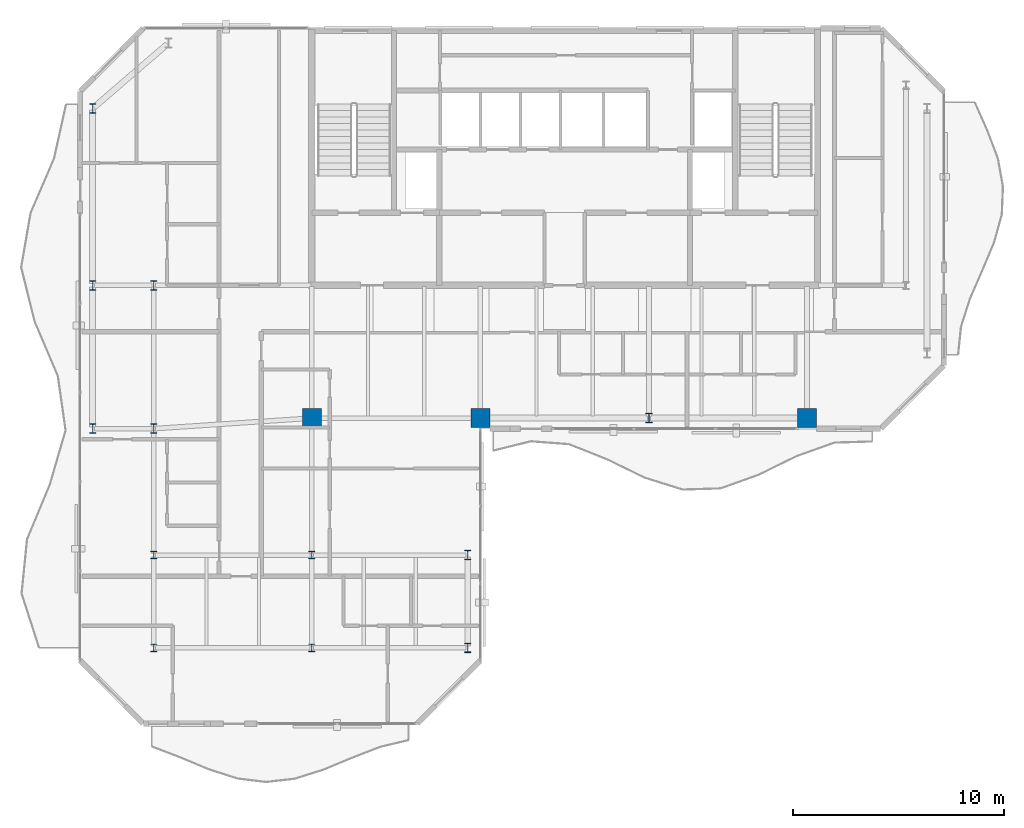
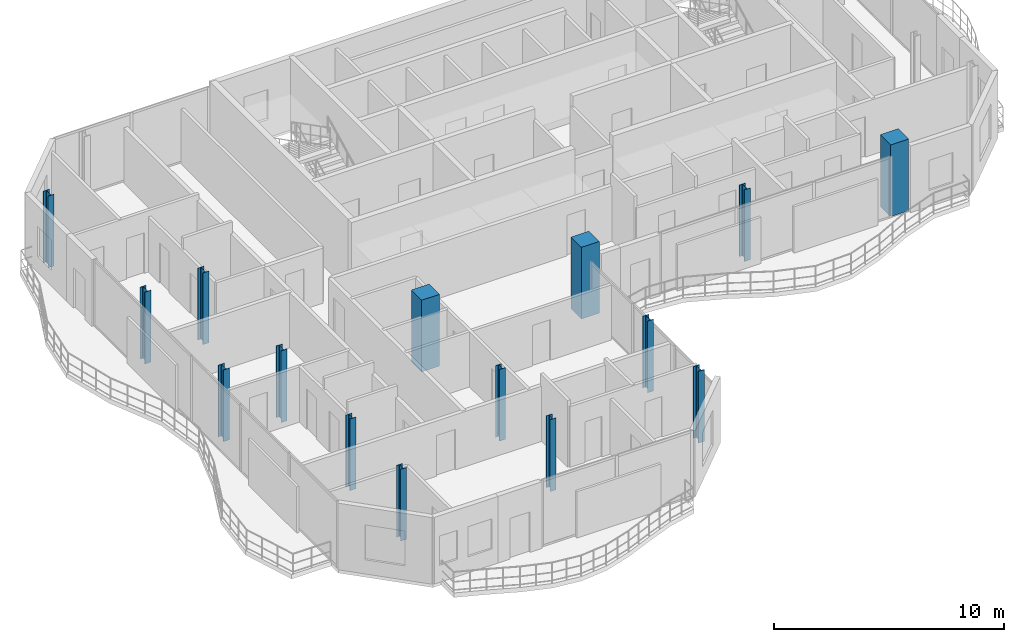
# One storey, part 1 of 22: 15 columns.
"""IFC4 building model written with IfcOpenShell, lengths in metres."""

from ifc_helpers import new_model, si_unit, direction, frame, origin, origin_2d, place, context, subcontext, project, spatial, rectangle, i_section, extrude, material, material_profile, profile_set, type_object, element, save


model = new_model("IFC4")

# Units and contexts
model_context = context("Model", 3, precision=1e-05, world=origin(), true_north=direction((0.0, 1.0)))
body_context = subcontext(model_context, "Body", "Model", "MODEL_VIEW")
ifc_project = project(units=[si_unit("LENGTHUNIT", "METRE"), si_unit("AREAUNIT", "SQUARE_METRE"), si_unit("VOLUMEUNIT", "CUBIC_METRE"), si_unit("PLANEANGLEUNIT", "RADIAN"), si_unit("MASSUNIT", "GRAM", prefix="KILO")], contexts=[model_context])

# Site, building, storey
site_placement = place(None, origin())
site = spatial("IfcSite", under=ifc_project, at=site_placement, CompositionType="ELEMENT")
building_placement = place(site_placement, origin())
building = spatial("IfcBuilding", under=site, at=building_placement, Name="Catumbela Crestline Tower", CompositionType="ELEMENT")
storey_placement = place(building_placement, frame((0.0, 0.0, 222.2)))
storey = spatial("IfcBuildingStorey", under=building, at=storey_placement, Name="L57", CompositionType="ELEMENT", Elevation=222.2)

# Columns
ifc_material_1 = material(Name="Concrete C45/55", Category="concrete")
ifc_material_profile_1 = material_profile(ifc_material_1, rectangle(XDim=0.9, YDim=0.9, at=origin_2d()), Name="RC 900x900")
ifc_profile_set_1 = profile_set([ifc_material_profile_1], Name="Concrete C45/55")
column_type_1 = type_object("IfcColumnType", Name="C-RC900-C45", PredefinedType="COLUMN", material=ifc_profile_set_1)
for number, where, z_axis, x_axis, name in (
    (1, (16.0, 24.5, 0.0), (0.0, 0.0, 1.0), (1.0, 0.0, 0.0), "L57 Column C-16-24 (RC 900x900)"),
    (2, (24.0, 24.5, 0.0), (0.0, 0.0, 1.0), (1.0, 0.0, 0.0), "L57 Column C-24-24 (RC 900x900)"),
    (3, (39.5, 24.5, 0.0), (0.0, 0.0, 1.0), (1.0, 0.0, 0.0), "L57 Column C-40-24 (RC 900x900)"),
):
    element("IfcColumn", number, at=place(storey_placement, frame(where, z_axis=z_axis, x_axis=x_axis)), inside=storey, type_object=column_type_1, Name=name, PredefinedType="COLUMN", context=body_context, shape_type="SweptSolid", body=[
        extrude(rectangle(XDim=0.9, YDim=0.9, at=origin_2d()), origin(), (0.0, 0.0, 1.0), 3.8),
    ])
ifc_material_2 = material(Name="Structural steel S355J2", Category="steel")
ifc_material_profile_2 = material_profile(ifc_material_2, i_section(OverallWidth=0.3, OverallDepth=0.36, WebThickness=0.0125, FlangeThickness=0.0225, FilletRadius=0.027, at=origin_2d()), Name="HEB 360")
ifc_profile_set_2 = profile_set([ifc_material_profile_2], Name="Structural steel S355J2")
column_type_2 = type_object("IfcColumnType", Name="C-ST-HEB360", PredefinedType="COLUMN", material=ifc_profile_set_2)
for number, where, z_axis, x_axis, name in (
    (4, (8.5, 13.6, 0.0), (0.0, 0.0, 1.0), (1.0, 0.0, 0.0), "L57 Column CT-05-10 (HEB 360)"),
    (5, (16.0, 13.6, 0.0), (0.0, 0.0, 1.0), (1.0, 0.0, 0.0), "L57 Column CT-14-10 (HEB 360)"),
    (6, (8.5, 18.0, 0.0), (0.0, 0.0, 1.0), (1.0, 0.0, 0.0), "L57 Column CT-05-16 (HEB 360)"),
    (7, (16.0, 18.0, 0.0), (0.0, 0.0, 1.0), (1.0, 0.0, 0.0), "L57 Column CT-14-16 (HEB 360)"),
):
    element("IfcColumn", number, at=place(storey_placement, frame(where, z_axis=z_axis, x_axis=x_axis)), inside=storey, type_object=column_type_2, Name=name, PredefinedType="COLUMN", context=body_context, shape_type="SweptSolid", body=[
        extrude(i_section(OverallWidth=0.3, OverallDepth=0.36, WebThickness=0.0125, FlangeThickness=0.0225, FilletRadius=0.027, at=origin_2d()), origin(), (0.0, 0.0, 1.0), 3.8),
    ])
ifc_material_profile_3 = material_profile(ifc_material_2, i_section(OverallWidth=0.3, OverallDepth=0.45, WebThickness=0.014, FlangeThickness=0.026, FilletRadius=0.027, at=origin_2d()), Name="HEB 450")
ifc_profile_set_3 = profile_set([ifc_material_profile_3], Name="Structural steel S355J2")
column_type_3 = type_object("IfcColumnType", Name="C-ST-HEB450", PredefinedType="COLUMN", material=ifc_profile_set_3)
for number, where, z_axis, x_axis, name in (
    (8, (8.5, 24.0, 0.0), (0.0, 0.0, 1.0), (1.0, 0.0, 0.0), "L57 Column C-08-24 (HEB 450)"),
    (9, (32.0, 24.5, 0.0), (0.0, 0.0, 1.0), (1.0, 0.0, 0.0), "L57 Column C-32-24 (HEB 450)"),
    (10, (5.6, 24.0, 0.0), (0.0, 0.0, 1.0), (1.0, 0.0, 0.0), "L57 Column C-05-24 (HEB 450)"),
    (11, (5.6, 30.8, 0.0), (0.0, 0.0, 1.0), (1.0, 0.0, 0.0), "L57 Column C-05-31 (HEB 450)"),
    (12, (5.6, 39.2, 0.0), (0.0, 0.0, 1.0), (1.0, 0.0, 0.0), "L57 Column C-05-43 (HEB 450)"),
    (13, (8.5, 30.8, 0.0), (0.0, 0.0, 1.0), (1.0, 0.0, 0.0), "L57 Column C-08-31 (HEB 450)"),
    (14, (23.4, 13.6, 0.0), (0.0, 0.0, 1.0), (1.0, 0.0, 0.0), "L57 Column C-24-10 (HEB 450)"),
    (15, (23.4, 18.0, 0.0), (0.0, 0.0, 1.0), (1.0, 0.0, 0.0), "L57 Column C-24-16 (HEB 450)"),
):
    element("IfcColumn", number, at=place(storey_placement, frame(where, z_axis=z_axis, x_axis=x_axis)), inside=storey, type_object=column_type_3, Name=name, PredefinedType="COLUMN", context=body_context, shape_type="SweptSolid", body=[
        extrude(i_section(OverallWidth=0.3, OverallDepth=0.45, WebThickness=0.014, FlangeThickness=0.026, FilletRadius=0.027, at=origin_2d()), origin(), (0.0, 0.0, 1.0), 3.8),
    ])

save(model, "model.ifc")
